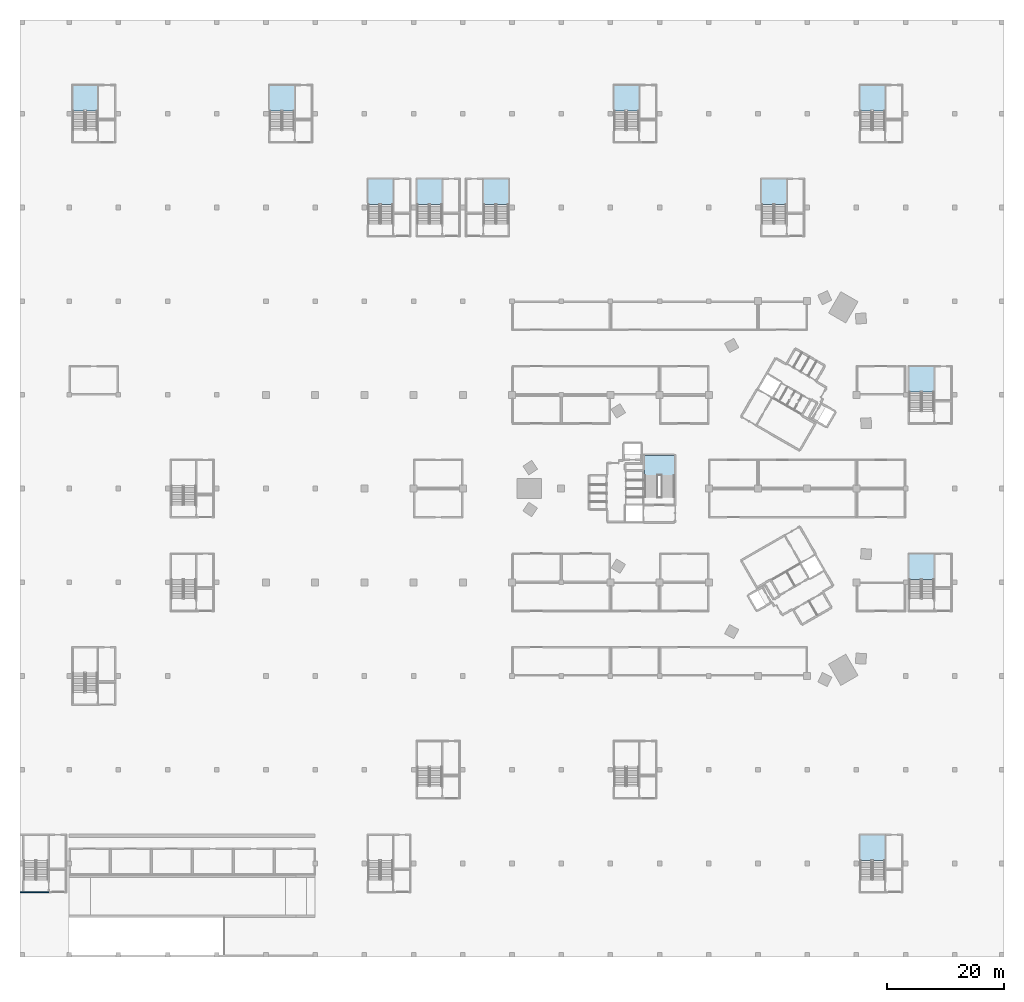
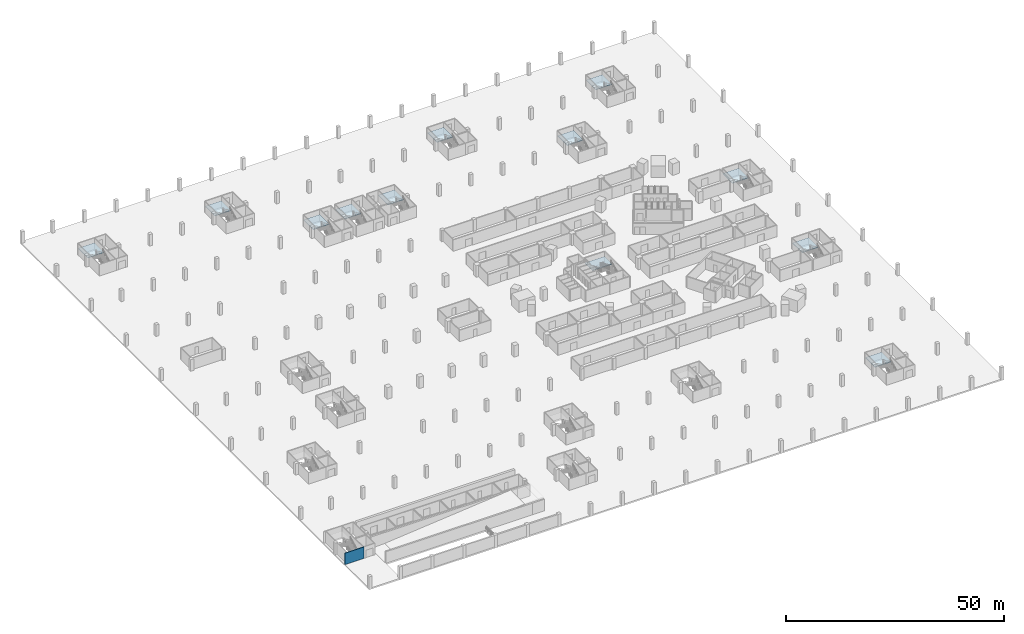
# One storey, part 3 of 37: 12 slabs, 1 wall, 12 elements without a shape of their own.
"""IFC4 building model written with IfcOpenShell, lengths in metres."""

from ifc_helpers import new_model, si_unit, direction, frame, frame_2d, origin, place, context, subcontext, project, spatial, polyline, rectangle, outline, extrude, material, layer, layer_set, type_object, element, aggregate, save


model = new_model("IFC4")

# Units and contexts
model_context = context("Model", 3, precision=1e-05, world=origin(), true_north=direction((0.0, 1.0)))
body_context = subcontext(model_context, "Body", "Model", "MODEL_VIEW")
ifc_project = project(units=[si_unit("LENGTHUNIT", "METRE"), si_unit("AREAUNIT", "SQUARE_METRE"), si_unit("VOLUMEUNIT", "CUBIC_METRE"), si_unit("PLANEANGLEUNIT", "RADIAN"), si_unit("MASSUNIT", "GRAM", prefix="KILO")], contexts=[model_context])

# Site, building, storey
site_placement = place(None, origin())
site = spatial("IfcSite", under=ifc_project, at=site_placement, CompositionType="ELEMENT")
building_placement = place(site_placement, origin())
building = spatial("IfcBuilding", under=site, at=building_placement, Name="Tamra Quay Hotel Tower", CompositionType="ELEMENT")
storey_placement = place(building_placement, frame((0.0, 0.0, -7.199951171875)))
storey = spatial("IfcBuildingStorey", under=building, at=storey_placement, Name="B2", CompositionType="ELEMENT", Elevation=-7.199951171875)

# Stair, slab
ifc_material_1 = material(Name="Basement exit stair")
stair_type_1 = type_object("IfcStairType", Name="Basement exit stair", PredefinedType="HALF_TURN_STAIR", material=ifc_material_1)
stair_1_placement = place(storey_placement, origin())
stair_1 = element("IfcStair", 1, at=stair_1_placement, inside=storey, type_object=stair_type_1, Name="B2 Basement Exit Stair BS2", PredefinedType="HALF_TURN_STAIR")
ifc_material_2 = material(Name="Concrete M60", Category="concrete")
ifc_layer_1 = layer(ifc_material_2, 0.199951171875)
ifc_layer_set_1 = layer_set([ifc_layer_1], Name="Concrete M60 basement stair landing 200")
slab_type_1 = type_object("IfcSlabType", Name="Concrete M60 basement stair landing 200", PredefinedType="LANDING", material=ifc_layer_set_1)
slab_1_placement = place(storey_placement, frame((0.0, 0.0, 1.599853515625)))
slab_1 = element("IfcSlab", 2, at=slab_1_placement, type_object=slab_type_1, Name="BS2 landing 1", PredefinedType="LANDING", context=body_context, shape_type="SweptSolid", body=[
    extrude(outline(polyline([(-109.449951171875, 64.47998046875), (-109.449951171875, 68.85009765625), (-113.699951171875, 68.85009765625), (-113.699951171875, 64.47998046875), (-109.449951171875, 64.47998046875)])), origin(), (0.0, 0.0, 1.0), 0.2001953125),
])
aggregate(stair_1, [slab_1])

stair_2_placement = place(storey_placement, origin())
stair_2 = element("IfcStair", 3, at=stair_2_placement, inside=storey, type_object=stair_type_1, Name="B2 Basement Exit Stair BS5", PredefinedType="HALF_TURN_STAIR")
slab_2_placement = place(storey_placement, frame((0.0, 0.0, 1.599853515625)))
slab_2 = element("IfcSlab", 4, at=slab_2_placement, type_object=slab_type_1, Name="BS5 landing 1", PredefinedType="LANDING", context=body_context, shape_type="SweptSolid", body=[
    extrude(outline(polyline([(-75.85009765625, 64.47998046875), (-75.85009765625, 68.85009765625), (-80.10009765625, 68.85009765625), (-80.10009765625, 64.47998046875), (-75.85009765625, 64.47998046875)])), origin(), (0.0, 0.0, 1.0), 0.2001953125),
])
aggregate(stair_2, [slab_2])

stair_3_placement = place(storey_placement, origin())
stair_3 = element("IfcStair", 5, at=stair_3_placement, inside=storey, type_object=stair_type_1, Name="B2 Basement Exit Stair BS7", PredefinedType="HALF_TURN_STAIR")
slab_3_placement = place(storey_placement, frame((0.0, 0.0, 1.599853515625)))
slab_3 = element("IfcSlab", 6, at=slab_3_placement, type_object=slab_type_1, Name="BS7 landing 1", PredefinedType="LANDING", context=body_context, shape_type="SweptSolid", body=[
    extrude(outline(polyline([(-59.050048828125, 48.47998046875), (-59.050048828125, 52.85009765625), (-63.300048828125, 52.85009765625), (-63.300048828125, 48.47998046875), (-59.050048828125, 48.47998046875)])), origin(), (0.0, 0.0, 1.0), 0.2001953125),
])
aggregate(stair_3, [slab_3])

stair_4_placement = place(storey_placement, origin())
stair_4 = element("IfcStair", 7, at=stair_4_placement, inside=storey, type_object=stair_type_1, Name="B2 Basement Exit Stair BS9", PredefinedType="HALF_TURN_STAIR")
slab_4_placement = place(storey_placement, frame((0.0, 0.0, 1.599853515625)))
slab_4 = element("IfcSlab", 8, at=slab_4_placement, type_object=slab_type_1, Name="BS9 landing 1", PredefinedType="LANDING", context=body_context, shape_type="SweptSolid", body=[
    extrude(outline(polyline([(-50.64990234375, 48.47998046875), (-50.64990234375, 52.85009765625), (-54.89990234375, 52.85009765625), (-54.89990234375, 48.47998046875), (-50.64990234375, 48.47998046875)])), origin(), (0.0, 0.0, 1.0), 0.2001953125),
])
aggregate(stair_4, [slab_4])

stair_5_placement = place(storey_placement, origin())
stair_5 = element("IfcStair", 9, at=stair_5_placement, inside=storey, type_object=stair_type_1, Name="B2 Basement Exit Stair BS11", PredefinedType="HALF_TURN_STAIR")
slab_5_placement = place(storey_placement, frame((0.0, 0.0, 1.599853515625)))
slab_5 = element("IfcSlab", 10, at=slab_5_placement, type_object=slab_type_1, Name="BS11 landing 1", PredefinedType="LANDING", context=body_context, shape_type="SweptSolid", body=[
    extrude(outline(polyline([(-17.050048828125, 64.47998046875), (-17.050048828125, 68.85009765625), (-21.300048828125, 68.85009765625), (-21.300048828125, 64.47998046875), (-17.050048828125, 64.47998046875)])), origin(), (0.0, 0.0, 1.0), 0.2001953125),
])
aggregate(stair_5, [slab_5])

stair_6_placement = place(storey_placement, origin())
stair_6 = element("IfcStair", 11, at=stair_6_placement, inside=storey, type_object=stair_type_1, Name="B2 Basement Exit Stair BS12", PredefinedType="HALF_TURN_STAIR")
slab_6_placement = place(storey_placement, frame((0.0, 0.0, 1.599853515625)))
slab_6 = element("IfcSlab", 12, at=slab_6_placement, type_object=slab_type_1, Name="BS12 landing 1", PredefinedType="LANDING", context=body_context, shape_type="SweptSolid", body=[
    extrude(outline(polyline([(8.14990234375, 48.47998046875), (8.14990234375, 52.85009765625), (3.89990234375, 52.85009765625), (3.89990234375, 48.47998046875), (8.14990234375, 48.47998046875)])), origin(), (0.0, 0.0, 1.0), 0.2001953125),
])
aggregate(stair_6, [slab_6])

stair_7_placement = place(storey_placement, origin())
stair_7 = element("IfcStair", 13, at=stair_7_placement, inside=storey, type_object=stair_type_1, Name="B2 Basement Exit Stair BS13", PredefinedType="HALF_TURN_STAIR")
slab_7_placement = place(storey_placement, frame((0.0, 0.0, 1.599853515625)))
slab_7 = element("IfcSlab", 14, at=slab_7_placement, type_object=slab_type_1, Name="BS13 landing 1", PredefinedType="LANDING", context=body_context, shape_type="SweptSolid", body=[
    extrude(outline(polyline([(24.949951171875, -63.52001953125), (24.949951171875, -59.14990234375), (20.699951171875, -59.14990234375), (20.699951171875, -63.52001953125), (24.949951171875, -63.52001953125)])), origin(), (0.0, 0.0, 1.0), 0.2001953125),
])
aggregate(stair_7, [slab_7])

stair_8_placement = place(storey_placement, origin())
stair_8 = element("IfcStair", 15, at=stair_8_placement, inside=storey, type_object=stair_type_1, Name="B2 Basement Exit Stair BS14", PredefinedType="HALF_TURN_STAIR")
slab_8_placement = place(storey_placement, frame((0.0, 0.0, 1.599853515625)))
slab_8 = element("IfcSlab", 16, at=slab_8_placement, type_object=slab_type_1, Name="BS14 landing 1", PredefinedType="LANDING", context=body_context, shape_type="SweptSolid", body=[
    extrude(outline(polyline([(24.949951171875, 64.47998046875), (24.949951171875, 68.85009765625), (20.699951171875, 68.85009765625), (20.699951171875, 64.47998046875), (24.949951171875, 64.47998046875)])), origin(), (0.0, 0.0, 1.0), 0.2001953125),
])
aggregate(stair_8, [slab_8])

stair_9_placement = place(storey_placement, origin())
stair_9 = element("IfcStair", 17, at=stair_9_placement, inside=storey, type_object=stair_type_1, Name="B2 Basement Exit Stair BS15", PredefinedType="HALF_TURN_STAIR")
slab_9_placement = place(storey_placement, frame((0.0, 0.0, 1.599853515625)))
slab_9 = element("IfcSlab", 18, at=slab_9_placement, type_object=slab_type_1, Name="BS15 landing 1", PredefinedType="LANDING", context=body_context, shape_type="SweptSolid", body=[
    extrude(outline(polyline([(33.35009765625, -15.52001953125), (33.35009765625, -11.14990234375), (29.10009765625, -11.14990234375), (29.10009765625, -15.52001953125), (33.35009765625, -15.52001953125)])), origin(), (0.0, 0.0, 1.0), 0.2001953125),
])
aggregate(stair_9, [slab_9])

stair_10_placement = place(storey_placement, origin())
stair_10 = element("IfcStair", 19, at=stair_10_placement, inside=storey, type_object=stair_type_1, Name="B2 Basement Exit Stair BS16", PredefinedType="HALF_TURN_STAIR")
slab_10_placement = place(storey_placement, frame((0.0, 0.0, 1.599853515625)))
slab_10 = element("IfcSlab", 20, at=slab_10_placement, type_object=slab_type_1, Name="BS16 landing 1", PredefinedType="LANDING", context=body_context, shape_type="SweptSolid", body=[
    extrude(outline(polyline([(33.35009765625, 16.47998046875), (33.35009765625, 20.85009765625), (29.10009765625, 20.85009765625), (29.10009765625, 16.47998046875), (33.35009765625, 16.47998046875)])), origin(), (0.0, 0.0, 1.0), 0.2001953125),
])
aggregate(stair_10, [slab_10])

stair_11_placement = place(storey_placement, origin())
stair_11 = element("IfcStair", 21, at=stair_11_placement, inside=storey, type_object=stair_type_1, Name="B2 Basement Exit Stair BS17", PredefinedType="HALF_TURN_STAIR")
slab_11_placement = place(storey_placement, frame((0.0, 0.0, 1.599853515625)))
slab_11 = element("IfcSlab", 22, at=slab_11_placement, type_object=slab_type_1, Name="BS17 landing 1", PredefinedType="LANDING", context=body_context, shape_type="SweptSolid", body=[
    extrude(outline(polyline([(-39.300048828125, 48.47998046875), (-39.300048828125, 52.85009765625), (-43.550048828125, 52.85009765625), (-43.550048828125, 48.47998046875), (-39.300048828125, 48.47998046875)])), origin(), (0.0, 0.0, 1.0), 0.2001953125),
])
aggregate(stair_11, [slab_11])

ifc_material_3 = material(Name="Exit stair 2200 24 risers 150.0 going 342")
stair_type_2 = type_object("IfcStairType", Name="Exit stair 2200 24 risers 150.0 going 342", PredefinedType="HALF_TURN_STAIR", material=ifc_material_3)
stair_12_placement = place(storey_placement, origin())
stair_12 = element("IfcStair", 23, at=stair_12_placement, inside=storey, type_object=stair_type_2, Name="B2 Exit stair ST3", PredefinedType="HALF_TURN_STAIR")
ifc_material_4 = material(Name="Concrete M70", Category="concrete")
ifc_layer_2 = layer(ifc_material_4, 0.175048828125)
ifc_layer_set_2 = layer_set([ifc_layer_2], Name="Concrete M70 stair landing 180")
slab_type_2 = type_object("IfcSlabType", Name="Concrete M70 stair landing 180", PredefinedType="LANDING", material=ifc_layer_set_2)
slab_12_placement = place(storey_placement, frame((0.0, 0.0, 1.625)))
slab_12 = element("IfcSlab", 24, at=slab_12_placement, type_object=slab_type_2, Name="ST3 landing 1", PredefinedType="LANDING", context=body_context, shape_type="SweptSolid", body=[
    extrude(outline(polyline([(-10.932373046875, 2.261962890625), (-10.932373046875, 5.679931640625), (-16.09130859375, 5.679931640625), (-16.09130859375, 2.261962890625), (-10.932373046875, 2.261962890625)])), origin(), (0.0, 0.0, 1.0), 0.175048828125),
])
aggregate(stair_12, [slab_12])

# Wall
ifc_layer_3 = layer(ifc_material_4, 0.199951171875)
ifc_layer_set_3 = layer_set([ifc_layer_3], Name="Concrete M70 stair enclosure wall 200")
wall_type = type_object("IfcWallType", Name="Concrete M70 stair enclosure wall 200", PredefinedType="SOLIDWALL", material=ifc_layer_set_3)
wall_placement = place(storey_placement, frame((-117.699951171875, -68.89990234375, 0.0), z_axis=(0.0, 0.0, 1.0), x_axis=(-1.0, 0.0, 0.0)))
element("IfcWall", 25, at=wall_placement, inside=storey, type_object=wall_type, Name="SEW", PredefinedType="SOLIDWALL", context=body_context, shape_type="SweptSolid", body=[
    extrude(rectangle(XDim=5.0, YDim=0.199951171875, at=frame_2d((2.5, 0.0))), origin(), (0.0, 0.0, 1.0), 3.199951171875),
])

save(model, "model.ifc")
